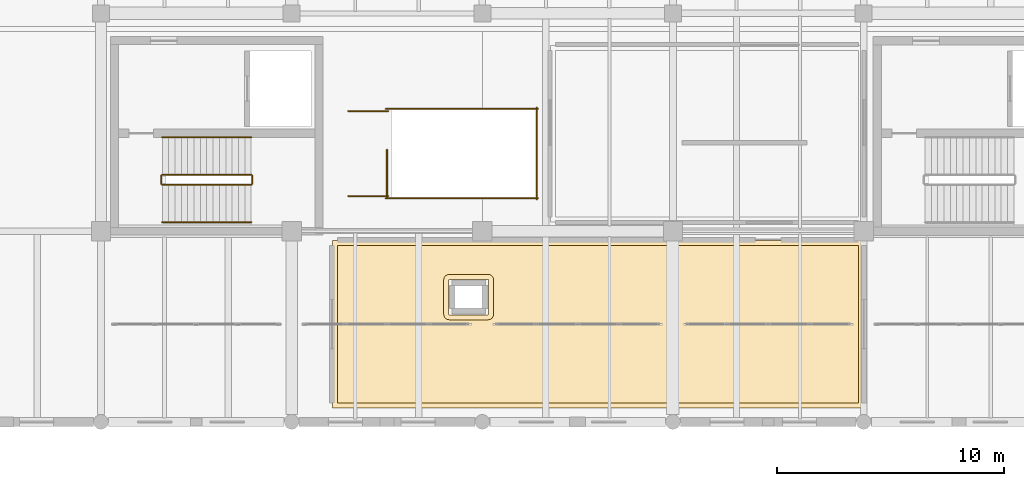
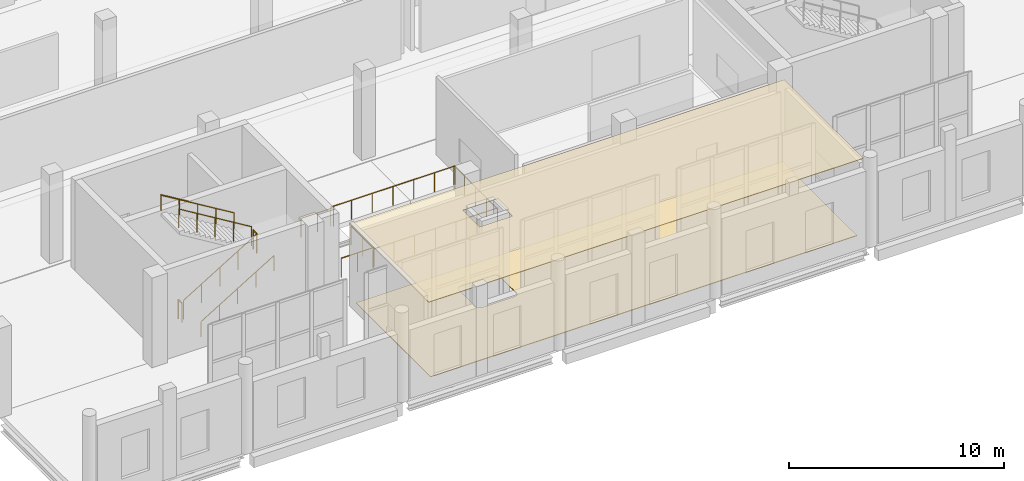
# One storey, part 65 of 73: 12 railings, 2 coverings.
"""IFC4 building model written with IfcOpenShell, lengths in metres."""

from ifc_helpers import new_model, si_unit, direction, frame, origin, origin_2d, place, context, subcontext, project, spatial, polyline, circle, outline, extrude, material, layer, layer_set, type_object, element, save


model = new_model("IFC4")

# Units and contexts
model_context = context("Model", 3, precision=1e-05, world=origin(), true_north=direction((0.0, 1.0)))
body_context = subcontext(model_context, "Body", "Model", "MODEL_VIEW")
ifc_project = project(units=[si_unit("LENGTHUNIT", "METRE"), si_unit("AREAUNIT", "SQUARE_METRE"), si_unit("VOLUMEUNIT", "CUBIC_METRE"), si_unit("PLANEANGLEUNIT", "RADIAN"), si_unit("MASSUNIT", "GRAM", prefix="KILO")], contexts=[model_context])

# Site, building, storey
site_placement = place(None, origin())
site = spatial("IfcSite", under=ifc_project, at=site_placement, CompositionType="ELEMENT")
building_placement = place(site_placement, origin())
building = spatial("IfcBuilding", under=site, at=building_placement, Name="Zulmaris Art Gallery", CompositionType="ELEMENT")
storey_placement = place(building_placement, frame((0.0, 0.0, 10.5)))
storey = spatial("IfcBuildingStorey", under=building, at=storey_placement, Name="L02", CompositionType="ELEMENT", Elevation=10.5)

# Coverings
ifc_material_1 = material(Name="Luminous UV-Diffusing Stretched Gallery Ceiling", Category="gypsum")
ifc_layer_1 = layer(ifc_material_1, 0.034912109375)
ifc_layer_set_1 = layer_set([ifc_layer_1], Name="Luminous UV-Diffusing Stretched Gallery Ceiling")
covering_type_1 = type_object("IfcCoveringType", Name="COV-CL02", PredefinedType="CEILING", material=ifc_layer_set_1)
covering_1_placement = place(storey_placement, frame((0.0, 0.0, 4.449951171875)))
element("IfcCovering", 1, at=covering_1_placement, inside=storey, type_object=covering_type_1, Name="South Upper Arcade Gallery acoustic ceiling", PredefinedType="CEILING", context=body_context, shape_type="SweptSolid", body=[
    extrude(outline(polyline([(42.610107421875, 21.18994140625), (65.989990234375, 21.18994140625), (65.989990234375, 13.81005859375), (42.610107421875, 13.81005859375), (42.610107421875, 21.18994140625)]), holes=[polyline([(47.721435546875, 17.94140625), (47.722412109375, 17.938720703125), (47.723876953125, 17.93603515625), (47.725341796875, 17.93359375), (47.72705078125, 17.93115234375), (47.72900390625, 17.928955078125), (47.731201171875, 17.927001953125), (47.7333984375, 17.92529296875), (47.736083984375, 17.923828125), (47.738525390625, 17.922607421875), (47.741455078125, 17.92138671875), (47.744140625, 17.9208984375), (47.7470703125, 17.92041015625), (47.75537109375, 17.919921875), (49.444580078125, 17.919921875), (49.452880859375, 17.92041015625), (49.455810546875, 17.9208984375), (49.45849609375, 17.92138671875), (49.46142578125, 17.922607421875), (49.464111328125, 17.923828125), (49.466552734375, 17.92529296875), (49.468994140625, 17.927001953125), (49.470947265625, 17.928955078125), (49.472900390625, 17.93115234375), (49.474609375, 17.93359375), (49.476318359375, 17.93603515625), (49.4775390625, 17.938720703125), (49.478515625, 17.94140625), (49.479248046875, 17.944091796875), (49.4794921875, 17.947021484375), (49.47998046875, 17.955322265625), (49.47998046875, 19.444580078125), (49.4794921875, 19.452880859375), (49.479248046875, 19.455810546875), (49.478515625, 19.45849609375), (49.4775390625, 19.46142578125), (49.476318359375, 19.464111328125), (49.474609375, 19.466552734375), (49.472900390625, 19.468994140625), (49.470947265625, 19.470947265625), (49.468994140625, 19.472900390625), (49.466552734375, 19.474609375), (49.464111328125, 19.476318359375), (49.46142578125, 19.4775390625), (49.45849609375, 19.478515625), (49.455810546875, 19.479248046875), (49.452880859375, 19.4794921875), (49.444580078125, 19.47998046875), (47.75537109375, 19.47998046875), (47.7470703125, 19.4794921875), (47.744140625, 19.479248046875), (47.741455078125, 19.478515625), (47.738525390625, 19.4775390625), (47.736083984375, 19.476318359375), (47.7333984375, 19.474609375), (47.731201171875, 19.472900390625), (47.72900390625, 19.470947265625), (47.72705078125, 19.468994140625), (47.725341796875, 19.466552734375), (47.723876953125, 19.464111328125), (47.722412109375, 19.46142578125), (47.721435546875, 19.45849609375), (47.720703125, 19.455810546875), (47.720458984375, 19.452880859375), (47.719970703125, 19.444580078125), (47.719970703125, 17.955322265625), (47.720458984375, 17.947021484375), (47.720703125, 17.944091796875), (47.721435546875, 17.94140625)])]), origin(), (0.0, 0.0, 1.0), 0.030029296875),
])
ifc_material_2 = material(Name="Oiled European Oak Gallery Parquet Flooring", Category="timber")
ifc_layer_2 = layer(ifc_material_2, 0.030029296875)
ifc_layer_set_2 = layer_set([ifc_layer_2], Name="Oiled European Oak Gallery Parquet Flooring")
covering_type_2 = type_object("IfcCoveringType", Name="COV-FL02", PredefinedType="FLOORING", material=ifc_layer_set_2)
covering_2_placement = place(storey_placement, origin())
element("IfcCovering", 2, at=covering_2_placement, inside=storey, type_object=covering_type_2, Name="South Upper Arcade Gallery finish flooring", PredefinedType="FLOORING", context=body_context, shape_type="SweptSolid", body=[
    extrude(outline(polyline([(65.77001953125, 14.030029296875), (42.830078125, 14.030029296875), (42.830078125, 20.969970703125), (65.77001953125, 20.969970703125), (65.77001953125, 14.030029296875)]), holes=[polyline([(47.501220703125, 17.925537109375), (47.5048828125, 17.901123046875), (47.5107421875, 17.87744140625), (47.51904296875, 17.854248046875), (47.529541015625, 17.832275390625), (47.5419921875, 17.81103515625), (47.556640625, 17.79150390625), (47.5732421875, 17.773193359375), (47.59130859375, 17.756591796875), (47.611083984375, 17.7421875), (47.632080078125, 17.7294921875), (47.654296875, 17.718994140625), (47.677490234375, 17.710693359375), (47.701171875, 17.704833984375), (47.7255859375, 17.701171875), (47.75, 17.699951171875), (49.449951171875, 17.699951171875), (49.474609375, 17.701171875), (49.498779296875, 17.704833984375), (49.522705078125, 17.710693359375), (49.545654296875, 17.718994140625), (49.56787109375, 17.7294921875), (49.5888671875, 17.7421875), (49.608642578125, 17.756591796875), (49.626708984375, 17.773193359375), (49.643310546875, 17.79150390625), (49.657958984375, 17.81103515625), (49.67041015625, 17.832275390625), (49.680908203125, 17.854248046875), (49.689208984375, 17.87744140625), (49.6953125, 17.901123046875), (49.69873046875, 17.925537109375), (49.699951171875, 17.949951171875), (49.699951171875, 19.449951171875), (49.69873046875, 19.474609375), (49.6953125, 19.498779296875), (49.689208984375, 19.522705078125), (49.680908203125, 19.545654296875), (49.67041015625, 19.56787109375), (49.657958984375, 19.5888671875), (49.643310546875, 19.608642578125), (49.626708984375, 19.626708984375), (49.608642578125, 19.643310546875), (49.5888671875, 19.657958984375), (49.56787109375, 19.67041015625), (49.545654296875, 19.680908203125), (49.522705078125, 19.689208984375), (49.498779296875, 19.6953125), (49.474609375, 19.69873046875), (49.449951171875, 19.699951171875), (47.75, 19.699951171875), (47.7255859375, 19.69873046875), (47.701171875, 19.6953125), (47.677490234375, 19.689208984375), (47.654296875, 19.680908203125), (47.632080078125, 19.67041015625), (47.611083984375, 19.657958984375), (47.59130859375, 19.643310546875), (47.5732421875, 19.626708984375), (47.556640625, 19.608642578125), (47.5419921875, 19.5888671875), (47.529541015625, 19.56787109375), (47.51904296875, 19.545654296875), (47.5107421875, 19.522705078125), (47.5048828125, 19.498779296875), (47.501220703125, 19.474609375), (47.5, 19.449951171875), (47.5, 17.949951171875), (47.501220703125, 17.925537109375)])]), origin(), (0.0, 0.0, 1.0), 0.034912109375),
])

# Railings
ifc_material_3 = material(Name="Steel S355J2", Category="steel")
ifc_layer_3 = layer(ifc_material_3, 0.050048828125)
ifc_layer_set_3 = layer_set([ifc_layer_3], Name="Steel S355J2")
railing_type_1 = type_object("IfcRailingType", Name="RAIL-STGRD", PredefinedType="GUARDRAIL", material=ifc_layer_set_3)
railing_1_placement = place(storey_placement, frame((35.10009765625, 23.64990234375, 0.169921875)))
element("IfcRailing", 3, at=railing_1_placement, inside=storey, type_object=railing_type_1, Name="L02 ST1 stair guard 1", PredefinedType="GUARDRAIL", context=body_context, shape_type="SweptSolid", body=[
    extrude(circle(Radius=0.02392578125, at=origin_2d()), frame((0.0, 0.0, 1.076171875), z_axis=(0.854770645689, 0.0, 0.519005918337), x_axis=(0.0, 1.0, 0.0)), (0.0, 0.0, 1.0), 4.5859375),
    extrude(circle(Radius=0.02099609375, at=origin_2d()), origin(), (0.0, 0.0, 1.0), 1.052001953125),
    extrude(circle(Radius=0.02099609375, at=origin_2d()), frame((0.97998046875, 0.0, 0.594970703125)), (0.0, 0.0, 1.0), 1.052001953125),
    extrude(circle(Radius=0.02099609375, at=origin_2d()), frame((1.9599609375, 0.0, 1.18994140625)), (0.0, 0.0, 1.0), 1.052001953125),
    extrude(circle(Radius=0.02099609375, at=origin_2d()), frame((2.93994140625, 0.0, 1.78515625)), (0.0, 0.0, 1.0), 1.052001953125),
    extrude(circle(Radius=0.02099609375, at=origin_2d()), frame((3.919921875, 0.0, 2.380126953125)), (0.0, 0.0, 1.0), 1.052001953125),
])
railing_2_placement = place(storey_placement, frame((39.070068359375, 23.699951171875, 2.550048828125)))
element("IfcRailing", 4, at=railing_2_placement, inside=storey, type_object=railing_type_1, Name="L02 ST1 stair guard 2", PredefinedType="GUARDRAIL", context=body_context, shape_type="SweptSolid", body=[
    extrude(circle(Radius=0.02392578125, at=origin_2d()), frame((0.0, 0.0, 1.076171875), z_axis=(0.0, 1.0, 0.0), x_axis=(-1.0, 0.0, 0.0)), (0.0, 0.0, 1.0), 0.340087890625),
    extrude(circle(Radius=0.02099609375, at=origin_2d()), origin(), (0.0, 0.0, 1.0), 1.052001953125),
    extrude(circle(Radius=0.02099609375, at=origin_2d()), frame((0.0, 0.340087890625, 0.0)), (0.0, 0.0, 1.0), 1.052001953125),
])
railing_3_placement = place(storey_placement, frame((39.02001953125, 24.090087890625, 2.719970703125)))
element("IfcRailing", 5, at=railing_3_placement, inside=storey, type_object=railing_type_1, Name="L02 ST1 stair guard 3", PredefinedType="GUARDRAIL", context=body_context, shape_type="SweptSolid", body=[
    extrude(circle(Radius=0.02392578125, at=origin_2d()), frame((0.0, 0.0, 1.076171875), z_axis=(-0.854770645689, 0.0, 0.519005918337), x_axis=(0.0, -1.0, 0.0)), (0.0, 0.0, 1.0), 4.5859375),
    extrude(circle(Radius=0.02099609375, at=origin_2d()), origin(), (0.0, 0.0, 1.0), 1.052001953125),
    extrude(circle(Radius=0.02099609375, at=origin_2d()), frame((-0.97998046875, 0.0, 0.594970703125)), (0.0, 0.0, 1.0), 1.052001953125),
    extrude(circle(Radius=0.02099609375, at=origin_2d()), frame((-1.9599609375, 0.0, 1.18994140625)), (0.0, 0.0, 1.0), 1.052001953125),
    extrude(circle(Radius=0.02099609375, at=origin_2d()), frame((-2.93994140625, 0.0, 1.78515625)), (0.0, 0.0, 1.0), 1.052001953125),
    extrude(circle(Radius=0.02099609375, at=origin_2d()), frame((-3.919921875, 0.0, 2.380126953125)), (0.0, 0.0, 1.0), 1.052001953125),
])
railing_4_placement = place(storey_placement, frame((35.050048828125, 23.699951171875, 0.0)))
element("IfcRailing", 6, at=railing_4_placement, inside=storey, type_object=railing_type_1, Name="L02 ST1 stair guard 4", PredefinedType="GUARDRAIL", context=body_context, shape_type="SweptSolid", body=[
    extrude(circle(Radius=0.02392578125, at=origin_2d()), frame((0.0, 0.0, 1.076171875), z_axis=(0.0, 1.0, 0.0), x_axis=(-1.0, 0.0, 0.0)), (0.0, 0.0, 1.0), 0.340087890625),
    extrude(circle(Radius=0.02099609375, at=origin_2d()), origin(), (0.0, 0.0, 1.0), 1.052001953125),
    extrude(circle(Radius=0.02099609375, at=origin_2d()), frame((0.0, 0.340087890625, 0.0)), (0.0, 0.0, 1.0), 1.052001953125),
])
railing_5_placement = place(storey_placement, frame((45.0, 23.10009765625, 0.0)))
element("IfcRailing", 7, at=railing_5_placement, inside=storey, type_object=railing_type_1, Name="L02 ST6 top well guard 1", PredefinedType="GUARDRAIL", context=body_context, shape_type="SweptSolid", body=[
    extrude(circle(Radius=0.02392578125, at=origin_2d()), frame((0.0, 0.0, 1.076171875), z_axis=(0.0, 1.0, 0.0), x_axis=(-1.0, 0.0, 0.0)), (0.0, 0.0, 1.0), 2.08984375),
    extrude(circle(Radius=0.02099609375, at=origin_2d()), origin(), (0.0, 0.0, 1.0), 1.052001953125),
    extrude(circle(Radius=0.02099609375, at=origin_2d()), frame((0.0, 1.044921875, 0.0)), (0.0, 0.0, 1.0), 1.052001953125),
    extrude(circle(Radius=0.02099609375, at=origin_2d()), frame((0.0, 2.08984375, 0.0)), (0.0, 0.0, 1.0), 1.052001953125),
])
for number, where, name in (
    (8, (44.949951171875, 23.050048828125, 0.0), "L02 ST6 top well guard 2"),
    (9, (44.949951171875, 26.989990234375, 0.0), "L02 ST6 top well guard 3"),
):
    element("IfcRailing", number, at=place(storey_placement, frame(where)), inside=storey, type_object=railing_type_1, Name=name, PredefinedType="GUARDRAIL", context=body_context, shape_type="SweptSolid", body=[
        extrude(circle(Radius=0.02392578125, at=origin_2d()), frame((0.0, 0.0, 1.076171875), z_axis=(1.0, 0.0, 0.0), x_axis=(0.0, 1.0, 0.0)), (0.0, 0.0, 1.0), 6.699951171875),
        extrude(circle(Radius=0.02099609375, at=origin_2d()), origin(), (0.0, 0.0, 1.0), 1.052001953125),
        extrude(circle(Radius=0.02099609375, at=origin_2d()), frame((1.11669921875, 0.0, 0.0)), (0.0, 0.0, 1.0), 1.052001953125),
        extrude(circle(Radius=0.02099609375, at=origin_2d()), frame((2.2333984375, 0.0, 0.0)), (0.0, 0.0, 1.0), 1.052001953125),
        extrude(circle(Radius=0.02099609375, at=origin_2d()), frame((3.35009765625, 0.0, 0.0)), (0.0, 0.0, 1.0), 1.052001953125),
        extrude(circle(Radius=0.02099609375, at=origin_2d()), frame((4.466552734375, 0.0, 0.0)), (0.0, 0.0, 1.0), 1.052001953125),
        extrude(circle(Radius=0.02099609375, at=origin_2d()), frame((5.583251953125, 0.0, 0.0)), (0.0, 0.0, 1.0), 1.052001953125),
        extrude(circle(Radius=0.02099609375, at=origin_2d()), frame((6.699951171875, 0.0, 0.0)), (0.0, 0.0, 1.0), 1.052001953125),
    ])
railing_6_placement = place(storey_placement, frame((51.60009765625, 23.0, 0.0)))
element("IfcRailing", 10, at=railing_6_placement, inside=storey, type_object=railing_type_1, Name="L02 ST6 top well guard 4", PredefinedType="GUARDRAIL", context=body_context, shape_type="SweptSolid", body=[
    extrude(circle(Radius=0.02392578125, at=origin_2d()), frame((0.0, 0.0, 1.076171875), z_axis=(0.0, 1.0, 0.0), x_axis=(-1.0, 0.0, 0.0)), (0.0, 0.0, 1.0), 4.0400390625),
    extrude(circle(Radius=0.02099609375, at=origin_2d()), origin(), (0.0, 0.0, 1.0), 1.052001953125),
    extrude(circle(Radius=0.02099609375, at=origin_2d()), frame((0.0, 1.010009765625, 0.0)), (0.0, 0.0, 1.0), 1.052001953125),
    extrude(circle(Radius=0.02099609375, at=origin_2d()), frame((0.0, 2.02001953125, 0.0)), (0.0, 0.0, 1.0), 1.052001953125),
    extrude(circle(Radius=0.02099609375, at=origin_2d()), frame((0.0, 3.030029296875, 0.0)), (0.0, 0.0, 1.0), 1.052001953125),
    extrude(circle(Radius=0.02099609375, at=origin_2d()), frame((0.0, 4.0400390625, 0.0)), (0.0, 0.0, 1.0), 1.052001953125),
])
for number, where, name in (
    (11, (43.300048828125, 23.14990234375, 0.0), "L02 ST6 top well guard 5"),
    (12, (43.300048828125, 26.889892578125, 0.0), "L02 ST6 top well guard 6"),
):
    element("IfcRailing", number, at=place(storey_placement, frame(where)), inside=storey, type_object=railing_type_1, Name=name, PredefinedType="GUARDRAIL", context=body_context, shape_type="SweptSolid", body=[
        extrude(circle(Radius=0.02392578125, at=origin_2d()), frame((0.0, 0.0, 1.076171875), z_axis=(1.0, 0.0, 0.0), x_axis=(0.0, 1.0, 0.0)), (0.0, 0.0, 1.0), 1.75),
        extrude(circle(Radius=0.02099609375, at=origin_2d()), origin(), (0.0, 0.0, 1.0), 1.052001953125),
        extrude(circle(Radius=0.02099609375, at=origin_2d()), frame((0.875, 0.0, 0.0)), (0.0, 0.0, 1.0), 1.052001953125),
        extrude(circle(Radius=0.02099609375, at=origin_2d()), frame((1.75, 0.0, 0.0)), (0.0, 0.0, 1.0), 1.052001953125),
    ])
ifc_material_4 = material(Name="Brushed Bronze Handrail", Category="steel")
ifc_layer_4 = layer(ifc_material_4, 0.048095703125)
ifc_layer_set_4 = layer_set([ifc_layer_4], Name="Brushed Bronze Handrail")
railing_type_2 = type_object("IfcRailingType", Name="RAIL-STHND", PredefinedType="HANDRAIL", material=ifc_layer_set_4)
railing_7_placement = place(storey_placement, frame((35.10009765625, 22.0, 0.169921875)))
element("IfcRailing", 13, at=railing_7_placement, inside=storey, type_object=railing_type_2, Name="L02 ST1 stair handrail 1", PredefinedType="HANDRAIL", context=body_context, shape_type="SweptSolid", body=[
    extrude(circle(Radius=0.02392578125, at=origin_2d()), frame((0.0, 0.0, 0.8759765625), z_axis=(0.854770645689, 0.0, 0.519005918337), x_axis=(0.0, 1.0, 0.0)), (0.0, 0.0, 1.0), 4.5859375),
    extrude(circle(Radius=0.02099609375, at=origin_2d()), origin(), (0.0, 0.0, 1.0), 0.851806640625),
    extrude(circle(Radius=0.02099609375, at=origin_2d()), frame((0.97998046875, 0.0, 0.594970703125)), (0.0, 0.0, 1.0), 0.851806640625),
    extrude(circle(Radius=0.02099609375, at=origin_2d()), frame((1.9599609375, 0.0, 1.18994140625)), (0.0, 0.0, 1.0), 0.851806640625),
    extrude(circle(Radius=0.02099609375, at=origin_2d()), frame((2.93994140625, 0.0, 1.78515625)), (0.0, 0.0, 1.0), 0.851806640625),
    extrude(circle(Radius=0.02099609375, at=origin_2d()), frame((3.919921875, 0.0, 2.380126953125)), (0.0, 0.0, 1.0), 0.851806640625),
])
railing_8_placement = place(storey_placement, frame((39.02001953125, 25.739990234375, 2.719970703125)))
element("IfcRailing", 14, at=railing_8_placement, inside=storey, type_object=railing_type_2, Name="L02 ST1 stair handrail 2", PredefinedType="HANDRAIL", context=body_context, shape_type="SweptSolid", body=[
    extrude(circle(Radius=0.02392578125, at=origin_2d()), frame((0.0, 0.0, 0.8759765625), z_axis=(-0.854770645689, 0.0, 0.519005918337), x_axis=(0.0, -1.0, 0.0)), (0.0, 0.0, 1.0), 4.5859375),
    extrude(circle(Radius=0.02099609375, at=origin_2d()), origin(), (0.0, 0.0, 1.0), 0.851806640625),
    extrude(circle(Radius=0.02099609375, at=origin_2d()), frame((-0.97998046875, 0.0, 0.594970703125)), (0.0, 0.0, 1.0), 0.851806640625),
    extrude(circle(Radius=0.02099609375, at=origin_2d()), frame((-1.9599609375, 0.0, 1.18994140625)), (0.0, 0.0, 1.0), 0.851806640625),
    extrude(circle(Radius=0.02099609375, at=origin_2d()), frame((-2.93994140625, 0.0, 1.78515625)), (0.0, 0.0, 1.0), 0.851806640625),
    extrude(circle(Radius=0.02099609375, at=origin_2d()), frame((-3.919921875, 0.0, 2.380126953125)), (0.0, 0.0, 1.0), 0.851806640625),
])

save(model, "model.ifc")
